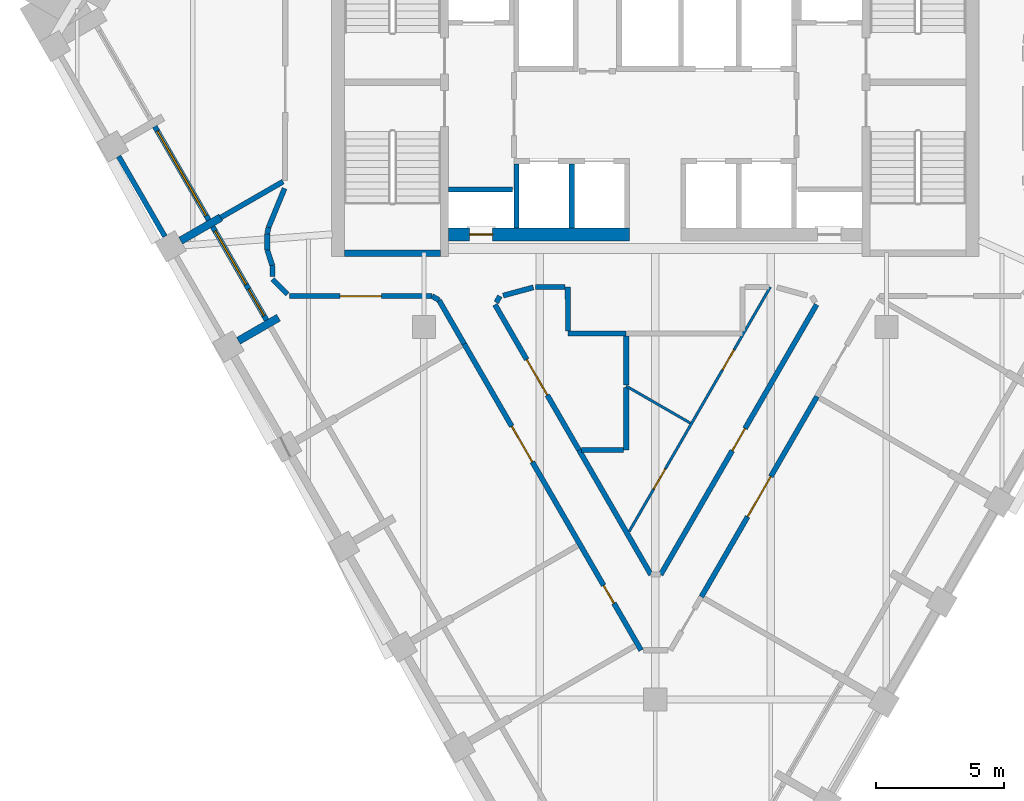
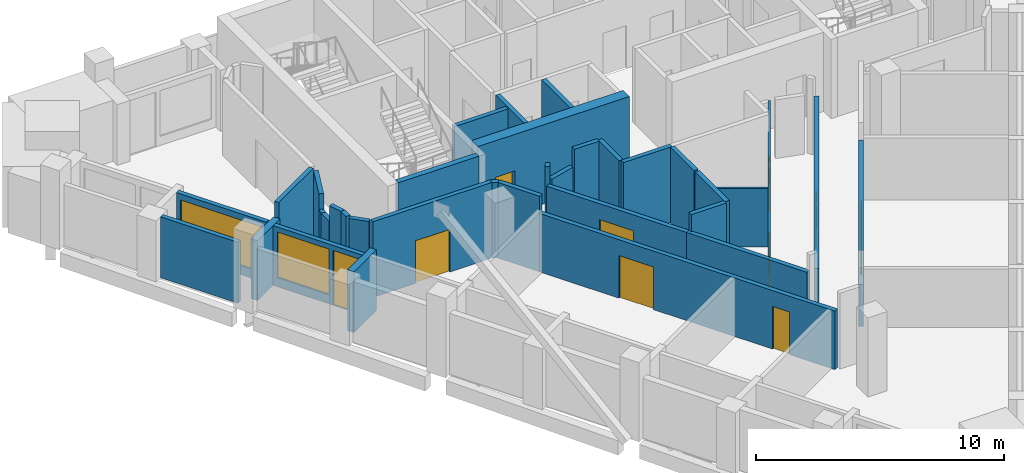
# One storey, part 3 of 8: 35 walls, 10 doors, 2 windows, 12 openings.
"""IFC4 building model written with IfcOpenShell, lengths in metres."""

from ifc_helpers import new_model, si_unit, direction, frame, frame_2d, origin, place, context, subcontext, project, spatial, rectangle, extrude, material, layer, layer_set, type_object, element, fill, save


model = new_model("IFC4")

# Units and contexts
model_context = context("Model", 3, precision=1e-05, world=origin(), true_north=direction((0.0, 1.0)))
body_context = subcontext(model_context, "Body", "Model", "MODEL_VIEW")
ifc_project = project(units=[si_unit("LENGTHUNIT", "METRE"), si_unit("AREAUNIT", "SQUARE_METRE"), si_unit("VOLUMEUNIT", "CUBIC_METRE"), si_unit("PLANEANGLEUNIT", "RADIAN"), si_unit("MASSUNIT", "GRAM", prefix="KILO")], contexts=[model_context])

# Site, building, storey
site_placement = place(None, origin())
site = spatial("IfcSite", under=ifc_project, at=site_placement, CompositionType="ELEMENT")
building_placement = place(site_placement, origin())
building = spatial("IfcBuilding", under=site, at=building_placement, Name="Calabash Gate Tower", CompositionType="ELEMENT")
storey_placement = place(building_placement, frame((0.0, 0.0, 263.800048828125)))
storey = spatial("IfcBuildingStorey", under=building, at=storey_placement, Name="L63", CompositionType="ELEMENT", Elevation=263.800048828125)

# Walls
ifc_material_1 = material(Name="Terracotta brick masonry, exposed face", Category="masonry")
ifc_layer_1 = layer(ifc_material_1, 0.300048828125)
ifc_layer_set_1 = layer_set([ifc_layer_1], Name="Brick loggia cheek wall 300")
wall_type_1 = type_object("IfcWallType", Name="Brick loggia cheek wall 300", PredefinedType="SOLIDWALL", material=ifc_layer_set_1)
wall_1_placement = place(storey_placement, frame((-16.910888671875, 6.75927734375, 0.0), z_axis=(0.0, 0.0, 1.0), x_axis=(-0.866047807691, -0.499961193289, 0.0)))
element("IfcWall", 1, at=wall_1_placement, inside=storey, type_object=wall_type_1, Name="Loggia cheek S18 SW0.2", PredefinedType="SOLIDWALL", context=body_context, shape_type="SweptSolid", body=[
    extrude(rectangle(XDim=1.800048828125, YDim=0.300048828125, at=frame_2d((0.89990234375, 0.0))), origin(), (0.0, 0.0, 1.0), 2.949951171875),
])
wall_2_placement = place(storey_placement, frame((-16.2197265625, 1.962158203125, 0.0), z_axis=(0.0, 0.0, 1.0), x_axis=(0.865989075817, 0.500062916607, 0.0)))
element("IfcWall", 2, at=wall_2_placement, inside=storey, type_object=wall_type_1, Name="Loggia cheek S18 SW0.3", PredefinedType="SOLIDWALL", context=body_context, shape_type="SweptSolid", body=[
    extrude(rectangle(XDim=1.800048828125, YDim=0.300048828125, at=frame_2d((0.89990234375, 0.0))), origin(), (0.0, 0.0, 1.0), 3.0),
])
ifc_material_2 = material(Name="Concrete C60/75", Category="concrete")
ifc_layer_2 = layer(ifc_material_2, 0.25)
ifc_layer_set_2 = layer_set([ifc_layer_2], Name="Core wall 250 Concrete C60/75")
wall_type_2 = type_object("IfcWallType", Name="Core wall 250 Concrete C60/75", PredefinedType="SHEAR", material=ifc_layer_set_2)
wall_3_placement = place(storey_placement, frame((-12.10009765625, 5.377685546875, 0.0), z_axis=(0.0, 0.0, 1.0), x_axis=(1.0, 0.0, 0.0)))
element("IfcWall", 3, at=wall_3_placement, inside=storey, type_object=wall_type_2, Name="Core wall Z5-SSW L63", PredefinedType="SHEAR", context=body_context, shape_type="SweptSolid", body=[
    extrude(rectangle(XDim=3.75, YDim=0.25, at=frame_2d((1.875, 0.0))), origin(), (0.0, 0.0, 1.0), 3.89990234375),
])

# Wall, opening, door
ifc_material_3 = material(Name="Concrete C60/75", Category="concrete")
ifc_layer_3 = layer(ifc_material_3, 0.5)
ifc_layer_set_3 = layer_set([ifc_layer_3], Name="Core wall 500 Concrete C60/75")
wall_type_3 = type_object("IfcWallType", Name="Core wall 500 Concrete C60/75", PredefinedType="SHEAR", material=ifc_layer_set_3)
wall_4_placement = place(storey_placement, frame((-8.050048828125, 6.1025390625, 0.0), z_axis=(0.0, 0.0, 1.0), x_axis=(1.0, 0.0, 0.0)))
wall_4 = element("IfcWall", 4, at=wall_4_placement, inside=storey, type_object=wall_type_3, Name="Core wall Z5-SA L63", PredefinedType="SHEAR", context=body_context, shape_type="SweptSolid", body=[
    extrude(rectangle(XDim=7.050048828125, YDim=0.5, at=frame_2d((3.52490234375, 0.0))), origin(), (0.0, 0.0, 1.0), 3.89990234375),
])
opening_1_placement = place(wall_4_placement, frame((0.824951171875, 0.0, 0.0)))
opening_1 = element("IfcOpeningElement", 5, at=opening_1_placement, cuts=wall_4, Name="Opening O10-008", PredefinedType="OPENING", context=body_context, shape_type="SweptSolid", body=[
    extrude(rectangle(XDim=0.89990234375, YDim=2.10009765625, at=frame_2d((0.449951171875, 1.050048828125))), frame((0.0, 0.260009765625, 0.0), z_axis=(0.0, -1.0, 0.0), x_axis=(1.0, 0.0, 0.0)), (0.0, 0.0, 1.0), 0.52001953125),
])
ifc_material_4 = material(Name="Steel fire door set with fire-resisting glazing", Category="steel")
door_type_1 = type_object("IfcDoorType", Name="Fire door D07 900x2100 FD90", OperationType="NOTDEFINED", PredefinedType="DOOR", material=ifc_material_4)
door_1_placement = place(opening_1_placement, origin())
door_1 = element("IfcDoor", 6, at=door_1_placement, inside=storey, type_object=door_type_1, Name="Electrical Riser W door", OperationType="SINGLE_SWING_LEFT", OverallHeight=2.10009765625, OverallWidth=0.89990234375, PredefinedType="DOOR", context=body_context, shape_type="SweptSolid", body=[
    extrude(rectangle(XDim=0.89990234375, YDim=2.10009765625, at=frame_2d((0.449951171875, 1.050048828125))), frame((0.0, 0.02490234375, 0.0), z_axis=(0.0, -1.0, 0.0), x_axis=(1.0, 0.0, 0.0)), (0.0, 0.0, 1.0), 0.050048828125),
])
fill(opening_1, door_1)

# Wall, openings, doors
ifc_material_5 = material(Name="Gypsum board on steel studs, mineral wool", Category="steel")
ifc_layer_4 = layer(ifc_material_5, 0.10009765625)
ifc_layer_set_4 = layer_set([ifc_layer_4], Name="Partition 100 gypsum board")
wall_type_4 = type_object("IfcWallType", Name="Partition 100 gypsum board", PredefinedType="PARTITIONING", material=ifc_layer_set_4)
wall_5_placement = place(storey_placement, frame((-1.01708984375, -5.46533203125, 0.0), z_axis=(0.0, 0.0, 1.0), x_axis=(0.499983334908, 0.866035025166, 0.0)))
wall_5 = element("IfcWall", 7, at=wall_5_placement, inside=storey, type_object=wall_type_4, Name="Partition", PredefinedType="PARTITIONING", context=body_context, shape_type="SweptSolid", body=[
    extrude(rectangle(XDim=10.990234375, YDim=0.10009765625, at=frame_2d((5.4951171875, 0.0))), origin(), (0.0, 0.0, 1.0), 2.884033203125),
])
opening_2_placement = place(wall_5_placement, frame((1.915283203125, 0.0, 0.0)))
opening_2 = element("IfcOpeningElement", 8, at=opening_2_placement, cuts=wall_5, Name="Opening 62-64-013", PredefinedType="OPENING", context=body_context, shape_type="SweptSolid", body=[
    extrude(rectangle(XDim=0.89990234375, YDim=2.10009765625, at=frame_2d((0.449951171875, 1.050048828125))), frame((0.0, 0.06005859375, 0.0), z_axis=(0.0, -1.0, 0.0), x_axis=(1.0, 0.0, 0.0)), (0.0, 0.0, 1.0), 0.1201171875),
])
opening_3_placement = place(wall_5_placement, frame((7.2705078125, 0.0, 0.0)))
opening_3 = element("IfcOpeningElement", 9, at=opening_3_placement, cuts=wall_5, Name="Opening 62-64-014", PredefinedType="OPENING", context=body_context, shape_type="SweptSolid", body=[
    extrude(rectangle(XDim=0.89990234375, YDim=2.10009765625, at=frame_2d((0.449951171875, 1.050048828125))), frame((0.0, 0.06005859375, 0.0), z_axis=(0.0, -1.0, 0.0), x_axis=(1.0, 0.0, 0.0)), (0.0, 0.0, 1.0), 0.1201171875),
])
ifc_material_6 = material(Name="Painted timber door", Category="wood")
door_type_2 = type_object("IfcDoorType", Name="WD1 WC door 900x2100", OperationType="NOTDEFINED", PredefinedType="DOOR", material=ifc_material_6)
door_2_placement = place(opening_2_placement, origin())
door_2 = element("IfcDoor", 10, at=door_2_placement, inside=storey, type_object=door_type_2, Name="WC door", OperationType="SINGLE_SWING_LEFT", OverallHeight=2.10009765625, OverallWidth=0.89990234375, PredefinedType="DOOR", context=body_context, shape_type="SweptSolid", body=[
    extrude(rectangle(XDim=0.89990234375, YDim=2.10009765625, at=frame_2d((0.449951171875, 1.050048828125))), frame((0.0, 0.02490234375, 0.0), z_axis=(0.0, -1.0, 0.0), x_axis=(1.0, 0.0, 0.0)), (0.0, 0.0, 1.0), 0.050048828125),
])
fill(opening_2, door_2)
door_3_placement = place(opening_3_placement, origin())
door_3 = element("IfcDoor", 11, at=door_3_placement, inside=storey, type_object=door_type_2, Name="WC door", OperationType="SINGLE_SWING_RIGHT", OverallHeight=2.10009765625, OverallWidth=0.89990234375, PredefinedType="DOOR", context=body_context, shape_type="SweptSolid", body=[
    extrude(rectangle(XDim=0.89990234375, YDim=2.10009765625, at=frame_2d((0.449951171875, 1.050048828125))), frame((0.0, 0.02490234375, 0.0), z_axis=(0.0, -1.0, 0.0), x_axis=(1.0, 0.0, 0.0)), (0.0, 0.0, 1.0), 0.050048828125),
])
fill(opening_3, door_3)

# Wall
wall_6_placement = place(storey_placement, frame((-1.127685546875, 0.2001953125, 0.0), z_axis=(0.0, 0.0, 1.0), x_axis=(0.866037287897, -0.499979415547, 0.0)))
element("IfcWall", 12, at=wall_6_placement, inside=storey, type_object=wall_type_4, Name="Partition", PredefinedType="PARTITIONING", context=body_context, shape_type="SweptSolid", body=[
    extrude(rectangle(XDim=2.87841796875, YDim=0.10009765625, at=frame_2d((1.439208984375, 0.0))), origin(), (0.0, 0.0, 1.0), 2.884033203125),
])

# Wall, openings, doors
ifc_material_7 = material(Name="Gypsum board on steel studs, mineral wool", Category="steel")
ifc_layer_5 = layer(ifc_material_7, 0.199951171875)
ifc_layer_set_5 = layer_set([ifc_layer_5], Name="Partition 200 gypsum board EI 60")
wall_type_5 = type_object("IfcWallType", Name="Partition 200 gypsum board EI 60", PredefinedType="PARTITIONING", material=ifc_layer_set_5)
wall_7_placement = place(storey_placement, frame((-7.43310546875, 1.839111328125, 0.0), z_axis=(0.0, 0.0, 1.0), x_axis=(0.500005992518, -0.866021943975, 0.0)))
wall_7 = element("IfcWall", 13, at=wall_7_placement, inside=storey, type_object=wall_type_5, Name="Partition", PredefinedType="PARTITIONING", context=body_context, shape_type="SweptSolid", body=[
    extrude(rectangle(XDim=13.763916015625, YDim=0.199951171875, at=frame_2d((6.8818359375, 0.0))), origin(), (0.0, 0.0, 1.0), 2.884033203125),
])
opening_4_placement = place(wall_7_placement, frame((3.699951171875, 0.0, 0.0)))
opening_4 = element("IfcOpeningElement", 14, at=opening_4_placement, cuts=wall_7, Name="Opening 62-64-001", PredefinedType="OPENING", context=body_context, shape_type="SweptSolid", body=[
    extrude(rectangle(XDim=1.60009765625, YDim=2.10009765625, at=frame_2d((0.800048828125, 1.050048828125))), frame((0.0, 0.10986328125, 0.0), z_axis=(0.0, -1.0, 0.0), x_axis=(1.0, 0.0, 0.0)), (0.0, 0.0, 1.0), 0.219970703125),
])
opening_5_placement = place(wall_7_placement, frame((10.85009765625, 0.0, 0.0)))
opening_5 = element("IfcOpeningElement", 15, at=opening_5_placement, cuts=wall_7, Name="Opening 62-64-002", PredefinedType="OPENING", context=body_context, shape_type="SweptSolid", body=[
    extrude(rectangle(XDim=0.800048828125, YDim=2.10009765625, at=frame_2d((0.39990234375, 1.050048828125))), frame((0.0, 0.10986328125, 0.0), z_axis=(0.0, -1.0, 0.0), x_axis=(1.0, 0.0, 0.0)), (0.0, 0.0, 1.0), 0.219970703125),
])
ifc_material_8 = material(Name="Steel fire door set with fire-resisting glazing", Category="steel")
door_type_3 = type_object("IfcDoorType", Name="LD1 Lounge double door 1600x2100", OperationType="NOTDEFINED", PredefinedType="DOOR", material=ifc_material_8)
door_4_placement = place(opening_4_placement, origin())
door_4 = element("IfcDoor", 16, at=door_4_placement, inside=storey, type_object=door_type_3, Name="Lounge double door", OperationType="DOUBLE_DOOR_SINGLE_SWING", OverallHeight=2.10009765625, OverallWidth=1.60009765625, PredefinedType="DOOR", context=body_context, shape_type="SweptSolid", body=[
    extrude(rectangle(XDim=1.60009765625, YDim=2.10009765625, at=frame_2d((0.800048828125, 1.050048828125))), frame((0.0, 0.02490234375, 0.0), z_axis=(0.0, -1.0, 0.0), x_axis=(1.0, 0.0, 0.0)), (0.0, 0.0, 1.0), 0.050048828125),
])
fill(opening_4, door_4)
ifc_material_9 = material(Name="Painted timber door", Category="wood")
door_type_4 = type_object("IfcDoorType", Name="OD4 Phone booth door 800x2100", OperationType="NOTDEFINED", PredefinedType="DOOR", material=ifc_material_9)
door_5_placement = place(opening_5_placement, origin())
door_5 = element("IfcDoor", 17, at=door_5_placement, inside=storey, type_object=door_type_4, Name="Phone booth door", OperationType="SINGLE_SWING_LEFT", OverallHeight=2.10009765625, OverallWidth=0.800048828125, PredefinedType="DOOR", context=body_context, shape_type="SweptSolid", body=[
    extrude(rectangle(XDim=0.800048828125, YDim=2.10009765625, at=frame_2d((0.39990234375, 1.050048828125))), frame((0.0, 0.02490234375, 0.0), z_axis=(0.0, -1.0, 0.0), x_axis=(1.0, 0.0, 0.0)), (0.0, 0.0, 1.0), 0.050048828125),
])
fill(opening_5, door_5)

# Wall, opening, door
wall_8_placement = place(storey_placement, frame((0.21240234375, -7.13916015625, 0.0), z_axis=(0.0, 0.0, 1.0), x_axis=(0.499990649477, 0.866030802244, 0.0)))
wall_8 = element("IfcWall", 18, at=wall_8_placement, inside=storey, type_object=wall_type_5, Name="Partition", PredefinedType="PARTITIONING", context=body_context, shape_type="SweptSolid", body=[
    extrude(rectangle(XDim=12.135009765625, YDim=0.199951171875, at=frame_2d((6.0673828125, 0.0))), origin(), (0.0, 0.0, 1.0), 2.884033203125),
])
opening_6_placement = place(wall_8_placement, frame((5.5673828125, 0.0, 0.0)))
opening_6 = element("IfcOpeningElement", 19, at=opening_6_placement, cuts=wall_8, Name="Opening 62-64-012", PredefinedType="OPENING", context=body_context, shape_type="SweptSolid", body=[
    extrude(rectangle(XDim=1.0, YDim=2.10009765625, at=frame_2d((0.5, 1.050048828125))), frame((0.0, 0.10986328125, 0.0), z_axis=(0.0, -1.0, 0.0), x_axis=(1.0, 0.0, 0.0)), (0.0, 0.0, 1.0), 0.219970703125),
])
ifc_material_10 = material(Name="Steel fire door set with fire-resisting glazing", Category="steel")
door_type_5 = type_object("IfcDoorType", Name="WD3 WC lobby door 1000x2100", OperationType="NOTDEFINED", PredefinedType="DOOR", material=ifc_material_10)
door_6_placement = place(opening_6_placement, origin())
door_6 = element("IfcDoor", 20, at=door_6_placement, inside=storey, type_object=door_type_5, Name="WC lobby door", OperationType="SINGLE_SWING_RIGHT", OverallHeight=2.10009765625, OverallWidth=1.0, PredefinedType="DOOR", context=body_context, shape_type="SweptSolid", body=[
    extrude(rectangle(XDim=1.0, YDim=2.10009765625, at=frame_2d((0.5, 1.050048828125))), frame((0.0, 0.02490234375, 0.0), z_axis=(0.0, -1.0, 0.0), x_axis=(1.0, 0.0, 0.0)), (0.0, 0.0, 1.0), 0.050048828125),
])
fill(opening_6, door_6)

# Walls
wall_9_placement = place(storey_placement, frame((-2.968017578125, -2.28662109375, 0.0), z_axis=(0.0, 0.0, 1.0), x_axis=(0.499996582779, -0.866027376709, 0.0)))
element("IfcWall", 21, at=wall_9_placement, inside=storey, type_object=wall_type_5, Name="Partition", PredefinedType="PARTITIONING", context=body_context, shape_type="SweptSolid", body=[
    extrude(rectangle(XDim=5.60205078125, YDim=0.199951171875, at=frame_2d((2.801025390625, 0.0))), origin(), (0.0, 0.0, 1.0), 2.884033203125),
])
wall_10_placement = place(storey_placement, frame((-2.867919921875, -2.286376953125, 0.0), z_axis=(0.0, 0.0, 1.0), x_axis=(0.999999601047, 0.000893255561, 0.0)))
element("IfcWall", 22, at=wall_10_placement, inside=storey, type_object=wall_type_5, Name="Partition", PredefinedType="PARTITIONING", context=body_context, shape_type="SweptSolid", body=[
    extrude(rectangle(XDim=1.639892578125, YDim=0.199951171875, at=frame_2d((0.81982421875, 0.0))), origin(), (0.0, 0.0, 1.0), 3.72998046875),
])

# Wall, opening, door
wall_11_placement = place(storey_placement, frame((1.796875, -7.999267578125, 0.0), z_axis=(0.0, 0.0, 1.0), x_axis=(0.5000018851, 0.866024315419, 0.0)))
wall_11 = element("IfcWall", 23, at=wall_11_placement, inside=storey, type_object=wall_type_5, Name="Partition", PredefinedType="PARTITIONING", context=body_context, shape_type="SweptSolid", body=[
    extrude(rectangle(XDim=9.0, YDim=0.199951171875, at=frame_2d((4.5, 0.0))), origin(), (0.0, 0.0, 1.0), 2.884033203125),
])
opening_7_placement = place(wall_11_placement, frame((3.60009765625, 0.0, 0.0)))
opening_7 = element("IfcOpeningElement", 24, at=opening_7_placement, cuts=wall_11, Name="Opening 62-64-003", PredefinedType="OPENING", context=body_context, shape_type="SweptSolid", body=[
    extrude(rectangle(XDim=1.800048828125, YDim=2.39990234375, at=frame_2d((0.89990234375, 1.199951171875))), frame((0.0, 0.10986328125, 0.0), z_axis=(0.0, -1.0, 0.0), x_axis=(1.0, 0.0, 0.0)), (0.0, 0.0, 1.0), 0.219970703125),
])
ifc_material_11 = material(Name="Steel fire door set with fire-resisting glazing", Category="steel")
door_type_6 = type_object("IfcDoorType", Name="OD5 Open office double door 1800x2400", OperationType="NOTDEFINED", PredefinedType="DOOR", material=ifc_material_11)
door_7_placement = place(opening_7_placement, origin())
door_7 = element("IfcDoor", 25, at=door_7_placement, inside=storey, type_object=door_type_6, Name="Open office double door", OperationType="DOUBLE_DOOR_SINGLE_SWING", OverallHeight=2.39990234375, OverallWidth=1.800048828125, PredefinedType="DOOR", context=body_context, shape_type="SweptSolid", body=[
    extrude(rectangle(XDim=1.800048828125, YDim=2.39990234375, at=frame_2d((0.89990234375, 1.199951171875))), frame((0.0, 0.02490234375, 0.0), z_axis=(0.0, -1.0, 0.0), x_axis=(1.0, 0.0, 0.0)), (0.0, 0.0, 1.0), 0.050048828125),
])
fill(opening_7, door_7)

# Walls
wall_12_placement = place(storey_placement, frame((-1.1279296875, -2.28466796875, 0.0), z_axis=(0.0, 0.0, 1.0), x_axis=(0.000803212592, 0.999999677425, 0.0)))
element("IfcWall", 26, at=wall_12_placement, inside=storey, type_object=wall_type_5, Name="Partition", PredefinedType="PARTITIONING", context=body_context, shape_type="SweptSolid", body=[
    extrude(rectangle(XDim=2.431640625, YDim=0.199951171875, at=frame_2d((1.2158203125, 0.0))), origin(), (0.0, 0.0, 1.0), 3.72998046875),
])
wall_13_placement = place(storey_placement, frame((-8.4169921875, 3.54638671875, 0.0), z_axis=(0.0, 0.0, 1.0), x_axis=(0.499325430766, -0.866414516378, 0.0)))
element("IfcWall", 27, at=wall_13_placement, inside=storey, type_object=wall_type_5, Name="Partition", PredefinedType="PARTITIONING", context=body_context, shape_type="SweptSolid", body=[
    extrude(rectangle(XDim=1.969970703125, YDim=0.199951171875, at=frame_2d((0.98486328125, 0.0))), origin(), (0.0, 0.0, 1.0), 3.72998046875),
])
wall_14_placement = place(storey_placement, frame((-1.1259765625, 0.247314453125, 0.0), z_axis=(0.0, 0.0, 1.0), x_axis=(0.0, 1.0, 0.0)))
element("IfcWall", 28, at=wall_14_placement, inside=storey, type_object=wall_type_5, Name="Partition", PredefinedType="PARTITIONING", context=body_context, shape_type="SweptSolid", body=[
    extrude(rectangle(XDim=1.9033203125, YDim=0.199951171875, at=frame_2d((0.95166015625, 0.0))), origin(), (0.0, 0.0, 1.0), 3.72998046875),
])
wall_15_placement = place(storey_placement, frame((-3.400146484375, 2.25244140625, 0.0), z_axis=(0.0, 0.0, 1.0), x_axis=(0.999999630572, -0.000859567749, 0.0)))
element("IfcWall", 29, at=wall_15_placement, inside=storey, type_object=wall_type_5, Name="Partition", PredefinedType="PARTITIONING", context=body_context, shape_type="SweptSolid", body=[
    extrude(rectangle(XDim=2.272216796875, YDim=0.199951171875, at=frame_2d((1.13623046875, 0.0))), origin(), (0.0, 0.0, 1.0), 3.72998046875),
])
wall_16_placement = place(storey_placement, frame((-3.402099609375, 4.050537109375, 0.0), z_axis=(0.0, 0.0, 1.0), x_axis=(0.001150085496, -0.999999338651, 0.0)))
element("IfcWall", 30, at=wall_16_placement, inside=storey, type_object=wall_type_5, Name="Partition", PredefinedType="PARTITIONING", context=body_context, shape_type="SweptSolid", body=[
    extrude(rectangle(XDim=1.6982421875, YDim=0.199951171875, at=frame_2d((0.84912109375, 0.0))), origin(), (0.0, 0.0, 1.0), 3.72998046875),
])

# Wall, opening, door
wall_17_placement = place(storey_placement, frame((-6.23583984375, 3.3701171875, 0.0), z_axis=(0.0, 0.0, 1.0), x_axis=(0.500224030226, -0.865896021231, 0.0)))
wall_17 = element("IfcWall", 31, at=wall_17_placement, inside=storey, type_object=wall_type_5, Name="Partition", PredefinedType="PARTITIONING", context=body_context, shape_type="SweptSolid", body=[
    extrude(rectangle(XDim=6.5302734375, YDim=0.199951171875, at=frame_2d((3.26513671875, 0.0))), origin(), (0.0, 0.0, 1.0), 2.884033203125),
])
opening_8_placement = place(wall_17_placement, frame((2.466064453125, 0.0, 0.0)))
opening_8 = element("IfcOpeningElement", 32, at=opening_8_placement, cuts=wall_17, Name="Opening 62-64-005", PredefinedType="OPENING", context=body_context, shape_type="SweptSolid", body=[
    extrude(rectangle(XDim=1.60009765625, YDim=2.10009765625, at=frame_2d((0.800048828125, 1.050048828125))), frame((0.0, 0.10986328125, 0.0), z_axis=(0.0, -1.0, 0.0), x_axis=(1.0, 0.0, 0.0)), (0.0, 0.0, 1.0), 0.219970703125),
])
door_8_placement = place(opening_8_placement, origin())
door_8 = element("IfcDoor", 33, at=door_8_placement, inside=storey, type_object=door_type_3, Name="Lounge double door", OperationType="DOUBLE_DOOR_SINGLE_SWING", OverallHeight=2.10009765625, OverallWidth=1.60009765625, PredefinedType="DOOR", context=body_context, shape_type="SweptSolid", body=[
    extrude(rectangle(XDim=1.60009765625, YDim=2.10009765625, at=frame_2d((0.800048828125, 1.050048828125))), frame((0.0, 0.02490234375, 0.0), z_axis=(0.0, -1.0, 0.0), x_axis=(1.0, 0.0, 0.0)), (0.0, 0.0, 1.0), 0.050048828125),
])
fill(opening_8, door_8)

# Wall
wall_18_placement = place(storey_placement, frame((-8.68212890625, 3.699462890625, 0.0), z_axis=(0.0, 0.0, 1.0), x_axis=(0.866026229868, -0.499998569178, 0.0)))
element("IfcWall", 34, at=wall_18_placement, inside=storey, type_object=wall_type_5, Name="Partition", PredefinedType="PARTITIONING", context=body_context, shape_type="SweptSolid", body=[
    extrude(rectangle(XDim=0.30615234375, YDim=0.199951171875, at=frame_2d((0.153076171875, 0.0))), origin(), (0.0, 0.0, 1.0), 3.72998046875),
])

# Wall, opening, door
wall_19_placement = place(storey_placement, frame((-14.240234375, 3.69970703125, 0.0), z_axis=(0.0, 0.0, 1.0), x_axis=(0.999999999035, -4.3925151e-05, 0.0)))
wall_19 = element("IfcWall", 35, at=wall_19_placement, inside=storey, type_object=wall_type_5, Name="Partition", PredefinedType="PARTITIONING", context=body_context, shape_type="SweptSolid", body=[
    extrude(rectangle(XDim=5.55810546875, YDim=0.199951171875, at=frame_2d((2.779052734375, 0.0))), origin(), (0.0, 0.0, 1.0), 3.72998046875),
])
opening_9_placement = place(wall_19_placement, frame((1.979248046875, 0.0, 0.0)))
opening_9 = element("IfcOpeningElement", 36, at=opening_9_placement, cuts=wall_19, Name="Opening 62-64-007", PredefinedType="OPENING", context=body_context, shape_type="SweptSolid", body=[
    extrude(rectangle(XDim=1.60009765625, YDim=2.10009765625, at=frame_2d((0.800048828125, 1.050048828125))), frame((0.0, 0.10986328125, 0.0), z_axis=(0.0, -1.0, 0.0), x_axis=(1.0, 0.0, 0.0)), (0.0, 0.0, 1.0), 0.219970703125),
])
door_9_placement = place(opening_9_placement, origin())
door_9 = element("IfcDoor", 37, at=door_9_placement, inside=storey, type_object=door_type_3, Name="Lounge double door", OperationType="DOUBLE_DOOR_SINGLE_SWING", OverallHeight=2.10009765625, OverallWidth=1.60009765625, PredefinedType="DOOR", context=body_context, shape_type="SweptSolid", body=[
    extrude(rectangle(XDim=1.60009765625, YDim=2.10009765625, at=frame_2d((0.800048828125, 1.050048828125))), frame((0.0, 0.02490234375, 0.0), z_axis=(0.0, -1.0, 0.0), x_axis=(1.0, 0.0, 0.0)), (0.0, 0.0, 1.0), 0.050048828125),
])
fill(opening_9, door_9)

# Walls
wall_20_placement = place(storey_placement, frame((-6.185546875, 3.456298828125, 0.0), z_axis=(0.0, 0.0, 1.0), x_axis=(0.504408873088, 0.863464931975, 0.0)))
element("IfcWall", 38, at=wall_20_placement, inside=storey, type_object=wall_type_5, Name="Partition", PredefinedType="PARTITIONING", context=body_context, shape_type="SweptSolid", body=[
    extrude(rectangle(XDim=0.2822265625, YDim=0.199951171875, at=frame_2d((0.14111328125, 0.0))), origin(), (0.0, 0.0, 1.0), 3.72998046875),
])
wall_21_placement = place(storey_placement, frame((-14.900390625, 4.35986328125, 0.0), z_axis=(0.0, 0.0, 1.0), x_axis=(0.706960336792, -0.707253195258, 0.0)))
element("IfcWall", 39, at=wall_21_placement, inside=storey, type_object=wall_type_5, Name="Partition", PredefinedType="PARTITIONING", context=body_context, shape_type="SweptSolid", body=[
    extrude(rectangle(XDim=0.833740234375, YDim=0.199951171875, at=frame_2d((0.4169921875, 0.0))), origin(), (0.0, 0.0, 1.0), 3.72998046875),
])
wall_22_placement = place(storey_placement, frame((-5.91650390625, 3.72265625, 0.0), z_axis=(0.0, 0.0, 1.0), x_axis=(0.965160943547, 0.26165693771, 0.0)))
element("IfcWall", 40, at=wall_22_placement, inside=storey, type_object=wall_type_5, Name="Partition", PredefinedType="PARTITIONING", context=body_context, shape_type="SweptSolid", body=[
    extrude(rectangle(XDim=1.216796875, YDim=0.199951171875, at=frame_2d((0.6083984375, 0.0))), origin(), (0.0, 0.0, 1.0), 2.884033203125),
])
wall_23_placement = place(storey_placement, frame((-4.65625, 4.052490234375, 0.0), z_axis=(0.0, 0.0, 1.0), x_axis=(0.999998904, -0.001480539832, 0.0)))
element("IfcWall", 41, at=wall_23_placement, inside=storey, type_object=wall_type_5, Name="Partition", PredefinedType="PARTITIONING", context=body_context, shape_type="SweptSolid", body=[
    extrude(rectangle(XDim=1.154296875, YDim=0.199951171875, at=frame_2d((0.5771484375, 0.0))), origin(), (0.0, 0.0, 1.0), 3.72998046875),
])
wall_24_placement = place(storey_placement, frame((-14.900390625, 4.889404296875, 0.0), z_axis=(0.0, 0.0, 1.0), x_axis=(0.0, -1.0, 0.0)))
element("IfcWall", 42, at=wall_24_placement, inside=storey, type_object=wall_type_5, Name="Partition", PredefinedType="PARTITIONING", context=body_context, shape_type="SweptSolid", body=[
    extrude(rectangle(XDim=0.4296875, YDim=0.199951171875, at=frame_2d((0.21484375, 0.0))), origin(), (0.0, 0.0, 1.0), 3.72998046875),
])
wall_25_placement = place(storey_placement, frame((-15.1005859375, 5.49951171875, 0.0), z_axis=(0.0, 0.0, 1.0), x_axis=(0.311775781287, -0.950155704189, 0.0)))
element("IfcWall", 43, at=wall_25_placement, inside=storey, type_object=wall_type_5, Name="Partition", PredefinedType="PARTITIONING", context=body_context, shape_type="SweptSolid", body=[
    extrude(rectangle(XDim=0.64208984375, YDim=0.199951171875, at=frame_2d((0.321044921875, 0.0))), origin(), (0.0, 0.0, 1.0), 3.72998046875),
])
wall_26_placement = place(storey_placement, frame((-15.1005859375, 5.49951171875, 0.0), z_axis=(0.0, 0.0, 1.0), x_axis=(0.0, 1.0, 0.0)))
element("IfcWall", 44, at=wall_26_placement, inside=storey, type_object=wall_type_5, Name="Partition", PredefinedType="PARTITIONING", context=body_context, shape_type="SweptSolid", body=[
    extrude(rectangle(XDim=0.62255859375, YDim=0.199951171875, at=frame_2d((0.311279296875, 0.0))), origin(), (0.0, 0.0, 1.0), 2.949951171875),
])
wall_27_placement = place(storey_placement, frame((-15.1005859375, 6.1220703125, 0.0), z_axis=(0.0, 0.0, 1.0), x_axis=(0.194465976514, 0.980909263887, 0.0)))
element("IfcWall", 45, at=wall_27_placement, inside=storey, type_object=wall_type_5, Name="Partition", PredefinedType="PARTITIONING", context=body_context, shape_type="SweptSolid", body=[
    extrude(rectangle(XDim=0.256103515625, YDim=0.199951171875, at=frame_2d((0.1279296875, 0.0))), origin(), (0.0, 0.0, 1.0), 2.949951171875),
])
wall_28_placement = place(storey_placement, frame((-15.05078125, 6.373291015625, 0.0), z_axis=(0.0, 0.0, 1.0), x_axis=(0.380772221762, 0.92466886783, 0.0)))
element("IfcWall", 46, at=wall_28_placement, inside=storey, type_object=wall_type_5, Name="Partition", PredefinedType="PARTITIONING", context=body_context, shape_type="SweptSolid", body=[
    extrude(rectangle(XDim=1.643310546875, YDim=0.199951171875, at=frame_2d((0.82177734375, 0.0))), origin(), (0.0, 0.0, 1.0), 3.72998046875),
])
wall_29_placement = place(storey_placement, frame((-16.910888671875, 6.75927734375, 0.0), z_axis=(0.0, 0.0, 1.0), x_axis=(0.866362772616, 0.499415204239, 0.0)))
element("IfcWall", 47, at=wall_29_placement, inside=storey, type_object=wall_type_5, Name="Partition", PredefinedType="PARTITIONING", context=body_context, shape_type="SweptSolid", body=[
    extrude(rectangle(XDim=2.797607421875, YDim=0.199951171875, at=frame_2d((1.39892578125, 0.0))), origin(), (0.0, 0.0, 1.0), 3.72998046875),
])
ifc_material_12 = material(Name="Concrete C40/50", Category="concrete")
ifc_layer_6 = layer(ifc_material_12, 0.199951171875)
ifc_layer_set_6 = layer_set([ifc_layer_6], Name="Shaft wall 200 Concrete C40/50")
wall_type_6 = type_object("IfcWallType", Name="Shaft wall 200 Concrete C40/50", PredefinedType="SOLIDWALL", material=ifc_layer_set_6)
for number, where, z_axis, x_axis, name in (
    (48, (-5.39990234375, 6.3525390625, 0.0), (0.0, 0.0, 1.0), (0.0, 1.0, 0.0), "Shaft wall"),
    (49, (-3.25, 6.3525390625, 0.0), (0.0, 0.0, 1.0), (0.0, 1.0, 0.0), "Shaft wall"),
    (50, (-8.050048828125, 7.8525390625, 0.0), (0.0, 0.0, 1.0), (1.0, 0.0, 0.0), "Shaft wall"),
):
    element("IfcWall", number, at=place(storey_placement, frame(where, z_axis=z_axis, x_axis=x_axis)), inside=storey, type_object=wall_type_6, Name=name, PredefinedType="SOLIDWALL", context=body_context, shape_type="SweptSolid", body=[
        extrude(rectangle(XDim=2.5, YDim=0.199951171875, at=frame_2d((1.25, 0.0))), origin(), (0.0, 0.0, 1.0), 3.72998046875),
    ])
ifc_material_13 = material(Name="Terracotta brick masonry, perforated", Category="masonry")
ifc_layer_7 = layer(ifc_material_13, 0.199951171875)
ifc_layer_set_7 = layer_set([ifc_layer_7], Name="Terracotta jaali screen B")
wall_type_7 = type_object("IfcWallType", Name="Terracotta jaali screen B", PredefinedType="SOLIDWALL", material=ifc_layer_set_7)
wall_30_placement = place(storey_placement, frame((-20.884521484375, 9.141845703125, 0.0), z_axis=(0.0, 0.0, 1.0), x_axis=(0.500012057535, -0.866018442252, 0.0)))
element("IfcWall", 51, at=wall_30_placement, inside=storey, type_object=wall_type_7, Name="SCREEN B S18 SW0.2", PredefinedType="SOLIDWALL", context=body_context, shape_type="SweptSolid", body=[
    extrude(rectangle(XDim=3.60009765625, YDim=0.199951171875, at=frame_2d((1.800048828125, 0.0))), origin(), (0.0, 0.0, 1.0), 3.0),
])

# Wall, opening, window
ifc_material_14 = material(Name="Aluminium framed window wall with insulated spandrel", Category="aluminium")
ifc_layer_8 = layer(ifc_material_14, 0.199951171875)
ifc_layer_set_8 = layer_set([ifc_layer_8], Name="Window wall 200")
wall_type_8 = type_object("IfcWallType", Name="Window wall 200", PredefinedType="ELEMENTEDWALL", material=ifc_layer_set_8)
wall_31_placement = place(storey_placement, frame((-19.4755859375, 10.301513671875, 0.0), z_axis=(0.0, 0.0, 1.0), x_axis=(0.49998411664, -0.866034573852, 0.0)))
wall_31 = element("IfcWall", 52, at=wall_31_placement, inside=storey, type_object=wall_type_8, Name="Window wall S18 SW0.2", PredefinedType="ELEMENTEDWALL", context=body_context, shape_type="SweptSolid", body=[
    extrude(rectangle(XDim=4.199951171875, YDim=0.199951171875, at=frame_2d((2.10009765625, 0.0))), origin(), (0.0, 0.0, 1.0), 3.0),
])
opening_10_placement = place(wall_31_placement, frame((0.199951171875, 0.0, 0.449951171875)))
opening_10 = element("IfcOpeningElement", 53, at=opening_10_placement, cuts=wall_31, Name="Opening OW2", PredefinedType="OPENING", context=body_context, shape_type="SweptSolid", body=[
    extrude(rectangle(XDim=3.800048828125, YDim=2.25, at=frame_2d((1.89990234375, 1.125))), frame((0.0, 0.10986328125, 0.0), z_axis=(0.0, -1.0, 0.0), x_axis=(1.0, 0.0, 0.0)), (0.0, 0.0, 1.0), 0.219970703125),
])
ifc_material_15 = material(Name="Anodised aluminium frame, bronze finish, impact-rated laminated clear glazing", Category="aluminium")
window_type_1 = type_object("IfcWindowType", Name="Window OW2 3800x2250", PartitioningType="TRIPLE_PANEL_VERTICAL", PredefinedType="WINDOW", material=ifc_material_15)
window_1_placement = place(opening_10_placement, origin())
window_1 = element("IfcWindow", 54, at=window_1_placement, inside=storey, type_object=window_type_1, Name="Window OW2 S18 SW0.2", OverallHeight=2.25, OverallWidth=3.800048828125, PartitioningType="SINGLE_PANEL", PredefinedType="WINDOW", context=body_context, shape_type="SweptSolid", body=[
    extrude(rectangle(XDim=3.800048828125, YDim=2.25, at=frame_2d((1.89990234375, 1.125))), frame((0.0, 0.030029296875, 0.0), z_axis=(0.0, -1.0, 0.0), x_axis=(1.0, 0.0, 0.0)), (0.0, 0.0, 1.0), 0.06005859375),
])
fill(opening_10, window_1)

# Wall, openings, door, window
wall_32_placement = place(storey_placement, frame((-17.2255859375, 6.404541015625, 0.0), z_axis=(0.0, 0.0, 1.0), x_axis=(0.499958946799, -0.866049104564, 0.0)))
wall_32 = element("IfcWall", 55, at=wall_32_placement, inside=storey, type_object=wall_type_8, Name="Window wall S18 SW0.3", PredefinedType="ELEMENTEDWALL", context=body_context, shape_type="SweptSolid", body=[
    extrude(rectangle(XDim=4.199951171875, YDim=0.199951171875, at=frame_2d((2.10009765625, 0.0))), origin(), (0.0, 0.0, 1.0), 2.949951171875),
])
opening_11_placement = place(wall_32_placement, frame((0.199951171875, 0.0, 0.449951171875)))
opening_11 = element("IfcOpeningElement", 56, at=opening_11_placement, cuts=wall_32, Name="Opening OW1", PredefinedType="OPENING", context=body_context, shape_type="SweptSolid", body=[
    extrude(rectangle(XDim=2.39990234375, YDim=2.25, at=frame_2d((1.199951171875, 1.125))), frame((0.0, 0.10986328125, 0.0), z_axis=(0.0, -1.0, 0.0), x_axis=(1.0, 0.0, 0.0)), (0.0, 0.0, 1.0), 0.219970703125),
])
opening_12_placement = place(wall_32_placement, frame((2.800048828125, 0.0, 0.0)))
opening_12 = element("IfcOpeningElement", 57, at=opening_12_placement, cuts=wall_32, Name="Opening O10-016", PredefinedType="OPENING", context=body_context, shape_type="SweptSolid", body=[
    extrude(rectangle(XDim=1.199951171875, YDim=2.699951171875, at=frame_2d((0.60009765625, 1.35009765625))), frame((0.0, 0.10986328125, 0.0), z_axis=(0.0, -1.0, 0.0), x_axis=(1.0, 0.0, 0.0)), (0.0, 0.0, 1.0), 0.219970703125),
])
ifc_material_16 = material(Name="Anodised aluminium frame, bronze finish, impact-rated laminated clear glazing", Category="aluminium")
door_type_7 = type_object("IfcDoorType", Name="Loggia door DO1 1200x2700", OperationType="SLIDING_TO_LEFT", PredefinedType="DOOR", material=ifc_material_16)
door_10_placement = place(opening_12_placement, origin())
door_10 = element("IfcDoor", 58, at=door_10_placement, inside=storey, type_object=door_type_7, Name="Loggia door S18 SW0.3", OperationType="SINGLE_SWING_LEFT", OverallHeight=2.699951171875, OverallWidth=1.199951171875, PredefinedType="DOOR", context=body_context, shape_type="SweptSolid", body=[
    extrude(rectangle(XDim=1.199951171875, YDim=2.699951171875, at=frame_2d((0.60009765625, 1.35009765625))), frame((0.0, 0.02490234375, 0.0), z_axis=(0.0, -1.0, 0.0), x_axis=(1.0, 0.0, 0.0)), (0.0, 0.0, 1.0), 0.050048828125),
])
fill(opening_12, door_10)
ifc_material_17 = material(Name="Anodised aluminium frame, bronze finish, impact-rated laminated clear glazing", Category="aluminium")
window_type_2 = type_object("IfcWindowType", Name="Window OW1 2400x2250", PartitioningType="DOUBLE_PANEL_VERTICAL", PredefinedType="WINDOW", material=ifc_material_17)
window_2_placement = place(opening_11_placement, origin())
window_2 = element("IfcWindow", 59, at=window_2_placement, inside=storey, type_object=window_type_2, Name="Window OW1 S18 SW0.3", OverallHeight=2.25, OverallWidth=2.39990234375, PartitioningType="SINGLE_PANEL", PredefinedType="WINDOW", context=body_context, shape_type="SweptSolid", body=[
    extrude(rectangle(XDim=2.39990234375, YDim=2.25, at=frame_2d((1.199951171875, 1.125))), frame((0.0, 0.030029296875, 0.0), z_axis=(0.0, -1.0, 0.0), x_axis=(1.0, 0.0, 0.0)), (0.0, 0.0, 1.0), 0.06005859375),
])
fill(opening_11, window_2)

save(model, "model.ifc")
